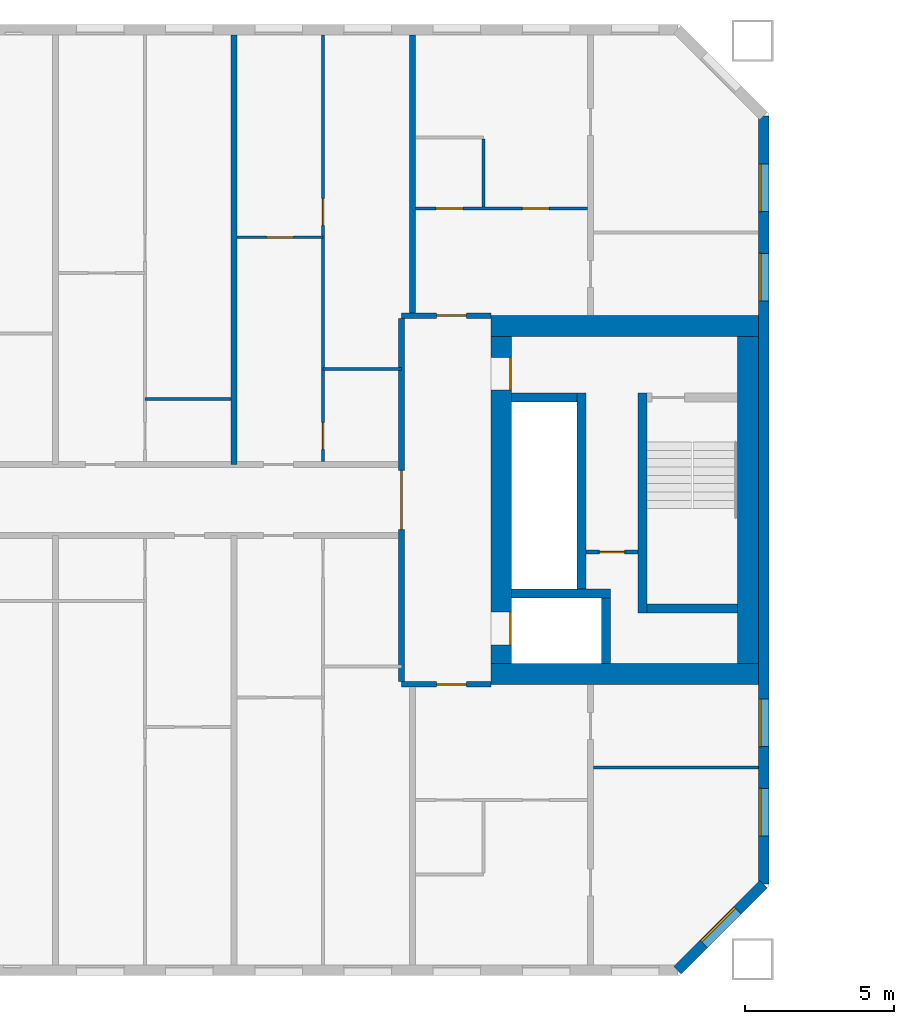
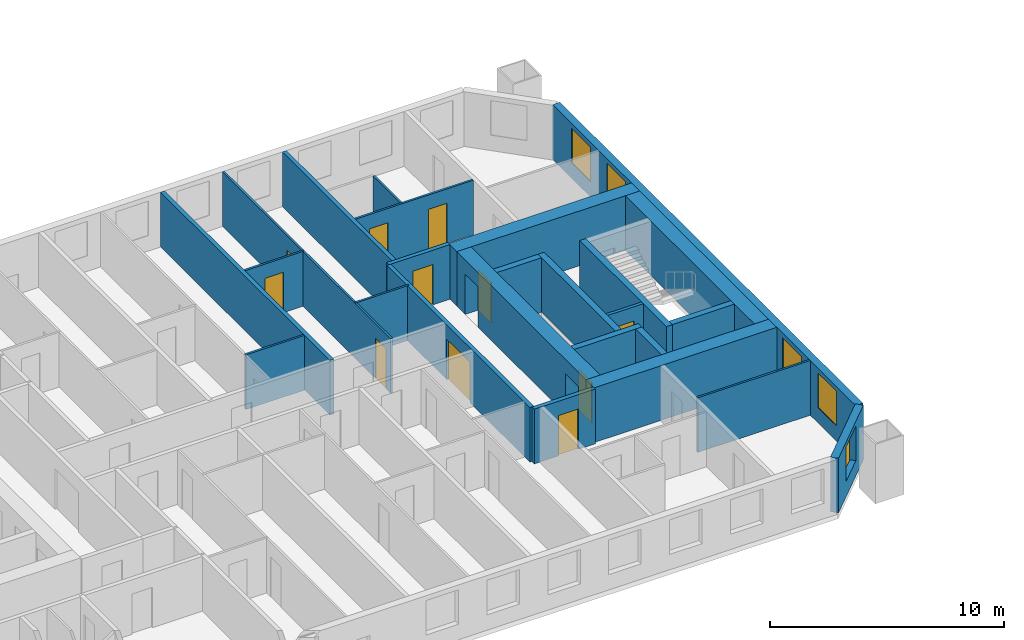
# One storey, part 7 of 16: 25 walls, 11 doors, 5 windows, 16 openings.
"""IFC4 building model written with IfcOpenShell, lengths in metres."""

from ifc_helpers import new_model, si_unit, direction, frame, frame_2d, origin, place, context, subcontext, project, spatial, rectangle, extrude, material, layer, layer_set, type_object, element, fill, save


model = new_model("IFC4")

# Units and contexts
model_context = context("Model", 3, precision=1e-05, world=origin(), true_north=direction((0.0, 1.0)))
body_context = subcontext(model_context, "Body", "Model", "MODEL_VIEW")
ifc_project = project(units=[si_unit("LENGTHUNIT", "METRE"), si_unit("AREAUNIT", "SQUARE_METRE"), si_unit("VOLUMEUNIT", "CUBIC_METRE"), si_unit("PLANEANGLEUNIT", "RADIAN"), si_unit("MASSUNIT", "GRAM", prefix="KILO")], contexts=[model_context])

# Site, building, storey
site_placement = place(None, origin())
site = spatial("IfcSite", under=ifc_project, at=site_placement, CompositionType="ELEMENT")
building_placement = place(site_placement, origin())
building = spatial("IfcBuilding", under=site, at=building_placement, Name="Tuart Gate Housing", CompositionType="ELEMENT")
storey_placement = place(building_placement, frame((0.0, 0.0, 87.10009765625)))
storey = spatial("IfcBuildingStorey", under=building, at=storey_placement, Name="L24", CompositionType="ELEMENT", Elevation=87.10009765625)

# Wall, opening, window
ifc_material_1 = material(Name="Brick", Category="masonry")
ifc_layer_1 = layer(ifc_material_1, 0.360107421875)
ifc_layer_set_1 = layer_set([ifc_layer_1], Name="Brick pier and spandrel wall 360")
wall_type_1 = type_object("IfcWallType", Name="Brick pier and spandrel wall 360", PredefinedType="STANDARD", material=ifc_layer_set_1)
wall_1_placement = place(storey_placement, frame((72.92529296875, 54.179931640625, 0.0), z_axis=(0.0, 0.0, 1.0), x_axis=(0.707106781187, 0.707106781187, 0.0)))
wall_1 = element("IfcWall", 1, at=wall_1_placement, inside=storey, type_object=wall_type_1, Name="External wall A-SE L24", PredefinedType="STANDARD", context=body_context, shape_type="SweptSolid", body=[
    extrude(rectangle(XDim=4.09375, YDim=0.360107421875, at=frame_2d((2.046875, 0.0))), origin(), (0.0, 0.0, 1.0), 2.849853515625),
])
opening_1_placement = place(wall_1_placement, frame((1.2470703125, 0.0, 0.800048828125)))
opening_1 = element("IfcOpeningElement", 2, at=opening_1_placement, cuts=wall_1, Name="Opening W1", PredefinedType="OPENING", context=body_context, shape_type="SweptSolid", body=[
    extrude(rectangle(XDim=1.60009765625, YDim=1.800048828125, at=frame_2d((0.800048828125, 0.89990234375))), frame((0.0, 0.18994140625, 0.0), z_axis=(0.0, -1.0, 0.0), x_axis=(1.0, 0.0, 0.0)), (0.0, 0.0, 1.0), 0.380126953125),
])
ifc_material_2 = material(Name="Aluminium frame with clear glass", Category="aluminium")
window_type = type_object("IfcWindowType", Name="Punched window 1600 x 1800", PartitioningType="SINGLE_PANEL", PredefinedType="WINDOW", material=ifc_material_2)
window_1_placement = place(opening_1_placement, origin())
window_1 = element("IfcWindow", 3, at=window_1_placement, inside=storey, type_object=window_type, Name="Window W1", OverallHeight=1.800048828125, OverallWidth=1.60009765625, PartitioningType="SINGLE_PANEL", PredefinedType="WINDOW", context=body_context, shape_type="SweptSolid", body=[
    extrude(rectangle(XDim=1.60009765625, YDim=1.800048828125, at=frame_2d((0.800048828125, 0.89990234375))), frame((0.0, 0.150146484375, 0.0), z_axis=(0.0, -1.0, 0.0), x_axis=(1.0, 0.0, 0.0)), (0.0, 0.0, 1.0), 0.06005859375),
])
fill(opening_1, window_1)

# Wall, openings, windows
wall_2_placement = place(storey_placement, frame((75.820068359375, 57.07470703125, 0.0), z_axis=(0.0, 0.0, 1.0), x_axis=(0.0, 1.0, 0.0)))
wall_2 = element("IfcWall", 4, at=wall_2_placement, inside=storey, type_object=wall_type_1, Name="External wall A-E L24", PredefinedType="STANDARD", context=body_context, shape_type="SweptSolid", body=[
    extrude(rectangle(XDim=25.850830078125, YDim=0.360107421875, at=frame_2d((12.92529296875, 0.0))), origin(), (0.0, 0.0, 1.0), 2.849853515625),
])
opening_2_placement = place(wall_2_placement, frame((1.62548828125, 0.0, 0.800048828125)))
opening_2 = element("IfcOpeningElement", 5, at=opening_2_placement, cuts=wall_2, Name="Opening W1", PredefinedType="OPENING", context=body_context, shape_type="SweptSolid", body=[
    extrude(rectangle(XDim=1.60009765625, YDim=1.800048828125, at=frame_2d((0.800048828125, 0.89990234375))), frame((0.0, 0.18994140625, 0.0), z_axis=(0.0, -1.0, 0.0), x_axis=(1.0, 0.0, 0.0)), (0.0, 0.0, 1.0), 0.380126953125),
])
opening_3_placement = place(wall_2_placement, frame((4.62548828125, 0.0, 0.800048828125)))
opening_3 = element("IfcOpeningElement", 6, at=opening_3_placement, cuts=wall_2, Name="Opening W1", PredefinedType="OPENING", context=body_context, shape_type="SweptSolid", body=[
    extrude(rectangle(XDim=1.60009765625, YDim=1.800048828125, at=frame_2d((0.800048828125, 0.89990234375))), frame((0.0, 0.18994140625, 0.0), z_axis=(0.0, -1.0, 0.0), x_axis=(1.0, 0.0, 0.0)), (0.0, 0.0, 1.0), 0.380126953125),
])
opening_4_placement = place(wall_2_placement, frame((19.62548828125, 0.0, 0.800048828125)))
opening_4 = element("IfcOpeningElement", 7, at=opening_4_placement, cuts=wall_2, Name="Opening W1", PredefinedType="OPENING", context=body_context, shape_type="SweptSolid", body=[
    extrude(rectangle(XDim=1.60009765625, YDim=1.800048828125, at=frame_2d((0.800048828125, 0.89990234375))), frame((0.0, 0.18994140625, 0.0), z_axis=(0.0, -1.0, 0.0), x_axis=(1.0, 0.0, 0.0)), (0.0, 0.0, 1.0), 0.380126953125),
])
opening_5_placement = place(wall_2_placement, frame((22.62548828125, 0.0, 0.800048828125)))
opening_5 = element("IfcOpeningElement", 8, at=opening_5_placement, cuts=wall_2, Name="Opening W1", PredefinedType="OPENING", context=body_context, shape_type="SweptSolid", body=[
    extrude(rectangle(XDim=1.60009765625, YDim=1.800048828125, at=frame_2d((0.800048828125, 0.89990234375))), frame((0.0, 0.18994140625, 0.0), z_axis=(0.0, -1.0, 0.0), x_axis=(1.0, 0.0, 0.0)), (0.0, 0.0, 1.0), 0.380126953125),
])
window_2_placement = place(opening_2_placement, origin())
window_2 = element("IfcWindow", 9, at=window_2_placement, inside=storey, type_object=window_type, Name="Window W1", OverallHeight=1.800048828125, OverallWidth=1.60009765625, PartitioningType="SINGLE_PANEL", PredefinedType="WINDOW", context=body_context, shape_type="SweptSolid", body=[
    extrude(rectangle(XDim=1.60009765625, YDim=1.800048828125, at=frame_2d((0.800048828125, 0.89990234375))), frame((0.0, 0.150146484375, 0.0), z_axis=(0.0, -1.0, 0.0), x_axis=(1.0, 0.0, 0.0)), (0.0, 0.0, 1.0), 0.06005859375),
])
fill(opening_2, window_2)
window_3_placement = place(opening_3_placement, origin())
window_3 = element("IfcWindow", 10, at=window_3_placement, inside=storey, type_object=window_type, Name="Window W1", OverallHeight=1.800048828125, OverallWidth=1.60009765625, PartitioningType="SINGLE_PANEL", PredefinedType="WINDOW", context=body_context, shape_type="SweptSolid", body=[
    extrude(rectangle(XDim=1.60009765625, YDim=1.800048828125, at=frame_2d((0.800048828125, 0.89990234375))), frame((0.0, 0.150146484375, 0.0), z_axis=(0.0, -1.0, 0.0), x_axis=(1.0, 0.0, 0.0)), (0.0, 0.0, 1.0), 0.06005859375),
])
fill(opening_3, window_3)
window_4_placement = place(opening_4_placement, origin())
window_4 = element("IfcWindow", 11, at=window_4_placement, inside=storey, type_object=window_type, Name="Window W1", OverallHeight=1.800048828125, OverallWidth=1.60009765625, PartitioningType="SINGLE_PANEL", PredefinedType="WINDOW", context=body_context, shape_type="SweptSolid", body=[
    extrude(rectangle(XDim=1.60009765625, YDim=1.800048828125, at=frame_2d((0.800048828125, 0.89990234375))), frame((0.0, 0.150146484375, 0.0), z_axis=(0.0, -1.0, 0.0), x_axis=(1.0, 0.0, 0.0)), (0.0, 0.0, 1.0), 0.06005859375),
])
fill(opening_4, window_4)
window_5_placement = place(opening_5_placement, origin())
window_5 = element("IfcWindow", 12, at=window_5_placement, inside=storey, type_object=window_type, Name="Window W1", OverallHeight=1.800048828125, OverallWidth=1.60009765625, PartitioningType="SINGLE_PANEL", PredefinedType="WINDOW", context=body_context, shape_type="SweptSolid", body=[
    extrude(rectangle(XDim=1.60009765625, YDim=1.800048828125, at=frame_2d((0.800048828125, 0.89990234375))), frame((0.0, 0.150146484375, 0.0), z_axis=(0.0, -1.0, 0.0), x_axis=(1.0, 0.0, 0.0)), (0.0, 0.0, 1.0), 0.06005859375),
])
fill(opening_5, window_5)

# Wall, opening, door
ifc_material_3 = material(Name="Plasterboard partition")
ifc_layer_2 = layer(ifc_material_3, 0.14990234375)
ifc_layer_set_2 = layer_set([ifc_layer_2], Name="Core partition 150")
wall_type_2 = type_object("IfcWallType", Name="Core partition 150", PredefinedType="PARTITIONING", material=ifc_layer_set_2)
wall_3_placement = place(storey_placement, frame((69.840087890625, 68.25, 0.0), z_axis=(0.0, 0.0, 1.0), x_axis=(1.0, 0.0, 0.0)))
wall_3 = element("IfcWall", 13, at=wall_3_placement, inside=storey, type_object=wall_type_2, Name="Core partition AG.3", PredefinedType="PARTITIONING", context=body_context, shape_type="SweptSolid", body=[
    extrude(rectangle(XDim=1.75, YDim=0.14990234375, at=frame_2d((0.875, 0.0))), origin(), (0.0, 0.0, 1.0), 2.849853515625),
])
opening_6_placement = place(wall_3_placement, frame((0.449951171875, 0.0, 0.0)))
opening_6 = element("IfcOpeningElement", 14, at=opening_6_placement, cuts=wall_3, Name="Opening D988", PredefinedType="OPENING", context=body_context, shape_type="SweptSolid", body=[
    extrude(rectangle(XDim=0.85009765625, YDim=2.10009765625, at=frame_2d((0.425048828125, 1.050048828125))), frame((0.0, 0.0849609375, 0.0), z_axis=(0.0, -1.0, 0.0), x_axis=(1.0, 0.0, 0.0)), (0.0, 0.0, 1.0), 0.169921875),
])
ifc_material_4 = material(Name="Steel fire door", Category="steel")
door_type_1 = type_object("IfcDoorType", Name="Riser door 850 x 2100 RH", OperationType="SINGLE_SWING_RIGHT", PredefinedType="DOOR", material=ifc_material_4)
door_1_placement = place(opening_6_placement, frame((0.85009765625, 0.0, 0.0), z_axis=(0.0, 0.0, 1.0), x_axis=(-1.0, 0.0, 0.0)))
door_1 = element("IfcDoor", 15, at=door_1_placement, inside=storey, type_object=door_type_1, Name="Service room door AG.E1", OperationType="SINGLE_SWING_RIGHT", OverallHeight=2.10009765625, OverallWidth=0.85009765625, PredefinedType="DOOR", context=body_context, shape_type="SweptSolid", body=[
    extrude(rectangle(XDim=0.85009765625, YDim=2.10009765625, at=frame_2d((0.425048828125, 1.050048828125))), frame((0.0, 0.025146484375, 0.0), z_axis=(0.0, -1.0, 0.0), x_axis=(1.0, 0.0, 0.0)), (0.0, 0.0, 1.0), 0.050048828125),
])
fill(opening_6, door_1)

# Walls
ifc_material_5 = material(Name="Concrete C50", Category="concrete")
ifc_layer_3 = layer(ifc_material_5, 0.300048828125)
ifc_layer_set_3 = layer_set([ifc_layer_3], Name="Core wall 300 C50")
wall_type_3 = type_object("IfcWallType", Name="Core wall 300 C50", PredefinedType="SHEAR", material=ifc_layer_set_3)
wall_4_placement = place(storey_placement, frame((71.889892578125, 66.35009765625, 0.0), z_axis=(0.0, 0.0, 1.0), x_axis=(1.0, 0.0, 0.0)))
element("IfcWall", 16, at=wall_4_placement, inside=storey, type_object=wall_type_3, Name="Core wall AG.1", PredefinedType="SHEAR", context=body_context, shape_type="SweptSolid", body=[
    extrude(rectangle(XDim=3.050048828125, YDim=0.300048828125, at=frame_2d((1.52490234375, 0.0))), origin(), (0.0, 0.0, 1.0), 2.849853515625),
])
wall_5_placement = place(storey_placement, frame((67.340087890625, 66.85009765625, 0.0), z_axis=(0.0, 0.0, 1.0), x_axis=(1.0, 0.0, 0.0)))
element("IfcWall", 17, at=wall_5_placement, inside=storey, type_object=wall_type_3, Name="Core wall AG.2", PredefinedType="SHEAR", context=body_context, shape_type="SweptSolid", body=[
    extrude(rectangle(XDim=3.31982421875, YDim=0.300048828125, at=frame_2d((1.659912109375, 0.0))), origin(), (0.0, 0.0, 1.0), 2.849853515625),
])
wall_6_placement = place(storey_placement, frame((67.340087890625, 73.449951171875, 0.0), z_axis=(0.0, 0.0, 1.0), x_axis=(1.0, 0.0, 0.0)))
element("IfcWall", 18, at=wall_6_placement, inside=storey, type_object=wall_type_3, Name="Core wall AG.4", PredefinedType="SHEAR", context=body_context, shape_type="SweptSolid", body=[
    extrude(rectangle(XDim=2.199951171875, YDim=0.300048828125, at=frame_2d((1.10009765625, 0.0))), origin(), (0.0, 0.0, 1.0), 2.849853515625),
])
wall_7_placement = place(storey_placement, frame((69.68994140625, 67.0, 0.0), z_axis=(0.0, 0.0, 1.0), x_axis=(0.0, 1.0, 0.0)))
element("IfcWall", 19, at=wall_7_placement, inside=storey, type_object=wall_type_3, Name="Core wall AG.6", PredefinedType="SHEAR", context=body_context, shape_type="SweptSolid", body=[
    extrude(rectangle(XDim=6.60009765625, YDim=0.300048828125, at=frame_2d((3.300048828125, 0.0))), origin(), (0.0, 0.0, 1.0), 2.849853515625),
])
wall_8_placement = place(storey_placement, frame((70.510009765625, 64.5, 0.0), z_axis=(0.0, 0.0, 1.0), x_axis=(0.0, 1.0, 0.0)))
element("IfcWall", 20, at=wall_8_placement, inside=storey, type_object=wall_type_3, Name="Core wall AG.7", PredefinedType="SHEAR", context=body_context, shape_type="SweptSolid", body=[
    extrude(rectangle(XDim=2.199951171875, YDim=0.300048828125, at=frame_2d((1.10009765625, 0.0))), origin(), (0.0, 0.0, 1.0), 2.849853515625),
])
wall_9_placement = place(storey_placement, frame((71.739990234375, 66.199951171875, 0.0), z_axis=(0.0, 0.0, 1.0), x_axis=(0.0, 1.0, 0.0)))
element("IfcWall", 21, at=wall_9_placement, inside=storey, type_object=wall_type_3, Name="Core wall AG.8", PredefinedType="SHEAR", context=body_context, shape_type="SweptSolid", body=[
    extrude(rectangle(XDim=7.400146484375, YDim=0.300048828125, at=frame_2d((3.7001953125, 0.0))), origin(), (0.0, 0.0, 1.0), 2.849853515625),
])

# Wall, openings, doors
ifc_material_6 = material(Name="Concrete C50", Category="concrete")
ifc_layer_4 = layer(ifc_material_6, 0.699951171875)
ifc_layer_set_4 = layer_set([ifc_layer_4], Name="Core wall 700 C50")
wall_type_4 = type_object("IfcWallType", Name="Core wall 700 C50", PredefinedType="SHEAR", material=ifc_layer_set_4)
wall_10_placement = place(storey_placement, frame((66.989990234375, 64.5, 0.0), z_axis=(0.0, 0.0, 1.0), x_axis=(0.0, 1.0, 0.0)))
wall_10 = element("IfcWall", 22, at=wall_10_placement, inside=storey, type_object=wall_type_4, Name="Core wall AG front", PredefinedType="SHEAR", context=body_context, shape_type="SweptSolid", body=[
    extrude(rectangle(XDim=11.0, YDim=0.699951171875, at=frame_2d((5.5, 0.0))), origin(), (0.0, 0.0, 1.0), 2.849853515625),
])
opening_7_placement = place(wall_10_placement, frame((0.625, 0.0, 0.0)))
opening_7 = element("IfcOpeningElement", 23, at=opening_7_placement, cuts=wall_10, Name="Opening LD-FA1", PredefinedType="OPENING", context=body_context, shape_type="SweptSolid", body=[
    extrude(rectangle(XDim=1.10009765625, YDim=2.10009765625, at=frame_2d((0.550048828125, 1.050048828125))), frame((0.0, 0.35986328125, 0.0), z_axis=(0.0, -1.0, 0.0), x_axis=(1.0, 0.0, 0.0)), (0.0, 0.0, 1.0), 0.719970703125),
])
opening_8_placement = place(wall_10_placement, frame((9.199951171875, 0.0, 0.0)))
opening_8 = element("IfcOpeningElement", 24, at=opening_8_placement, cuts=wall_10, Name="Opening D984", PredefinedType="OPENING", context=body_context, shape_type="SweptSolid", body=[
    extrude(rectangle(XDim=1.10009765625, YDim=2.10009765625, at=frame_2d((0.550048828125, 1.050048828125))), frame((0.0, 0.35986328125, 0.0), z_axis=(0.0, -1.0, 0.0), x_axis=(1.0, 0.0, 0.0)), (0.0, 0.0, 1.0), 0.719970703125),
])
ifc_material_7 = material(Name="Stainless steel", Category="steel")
door_type_2 = type_object("IfcDoorType", Name="Landing door 1100 x 2100", OperationType="DOUBLE_DOOR_SLIDING", PredefinedType="DOOR", material=ifc_material_7)
door_2_placement = place(opening_7_placement, origin())
door_2 = element("IfcDoor", 25, at=door_2_placement, inside=storey, type_object=door_type_2, Name="Lift landing door FA1", OperationType="DOUBLE_DOOR_SLIDING", OverallHeight=2.10009765625, OverallWidth=1.10009765625, PredefinedType="DOOR", context=body_context, shape_type="SweptSolid", body=[
    extrude(rectangle(XDim=1.10009765625, YDim=2.10009765625, at=frame_2d((0.550048828125, 1.050048828125))), frame((0.0, -0.28515625, 0.0), z_axis=(0.0, -1.0, 0.0), x_axis=(1.0, 0.0, 0.0)), (0.0, 0.0, 1.0), 0.050048828125),
])
fill(opening_7, door_2)
ifc_material_8 = material(Name="Steel fire door", Category="steel")
door_type_3 = type_object("IfcDoorType", Name="Lobby door 1100 x 2100 RH", OperationType="SINGLE_SWING_RIGHT", PredefinedType="DOOR", material=ifc_material_8)
door_3_placement = place(opening_8_placement, frame((1.10009765625, 0.0, 0.0), z_axis=(0.0, 0.0, 1.0), x_axis=(-1.0, 0.0, 0.0)))
door_3 = element("IfcDoor", 26, at=door_3_placement, inside=storey, type_object=door_type_3, Name="Lobby entry door AG.EN", OperationType="SINGLE_SWING_RIGHT", OverallHeight=2.10009765625, OverallWidth=1.10009765625, PredefinedType="DOOR", context=body_context, shape_type="SweptSolid", body=[
    extrude(rectangle(XDim=1.10009765625, YDim=2.10009765625, at=frame_2d((0.550048828125, 1.050048828125))), frame((0.0, 0.335205078125, 0.0), z_axis=(0.0, -1.0, 0.0), x_axis=(1.0, 0.0, 0.0)), (0.0, 0.0, 1.0), 0.050048828125),
])
fill(opening_8, door_3)

# Walls
wall_11_placement = place(storey_placement, frame((75.2900390625, 64.5, 0.0), z_axis=(0.0, 0.0, 1.0), x_axis=(0.0, 1.0, 0.0)))
element("IfcWall", 27, at=wall_11_placement, inside=storey, type_object=wall_type_4, Name="Core wall AG back", PredefinedType="SHEAR", context=body_context, shape_type="SweptSolid", body=[
    extrude(rectangle(XDim=11.0, YDim=0.699951171875, at=frame_2d((5.5, 0.0))), origin(), (0.0, 0.0, 1.0), 2.849853515625),
])
for number, where, z_axis, x_axis, name in (
    (28, (66.639892578125, 64.14990234375, 0.0), (0.0, 0.0, 1.0), (1.0, 0.0, 0.0), "Core wall AG south"),
    (29, (66.639892578125, 75.85009765625, 0.0), (0.0, 0.0, 1.0), (1.0, 0.0, 0.0), "Core wall AG north"),
):
    element("IfcWall", number, at=place(storey_placement, frame(where, z_axis=z_axis, x_axis=x_axis)), inside=storey, type_object=wall_type_4, Name=name, PredefinedType="SHEAR", context=body_context, shape_type="SweptSolid", body=[
        extrude(rectangle(XDim=9.0, YDim=0.699951171875, at=frame_2d((4.5, 0.0))), origin(), (0.0, 0.0, 1.0), 2.849853515625),
    ])

# Wall, opening, door
ifc_material_9 = material(Name="Concrete masonry 15 MPa", Category="masonry")
ifc_layer_5 = layer(ifc_material_9, 0.199951171875)
ifc_layer_set_5 = layer_set([ifc_layer_5], Name="Enclosure wall masonry 200")
wall_type_5 = type_object("IfcWallType", Name="Enclosure wall masonry 200", PredefinedType="PARTITIONING", material=ifc_layer_set_5)
wall_12_placement = place(storey_placement, frame((63.639892578125, 63.800048828125, 0.0), z_axis=(0.0, 0.0, 1.0), x_axis=(1.0, 0.0, 0.0)))
wall_12 = element("IfcWall", 30, at=wall_12_placement, inside=storey, type_object=wall_type_5, Name="Enclosure wall masonry 200", PredefinedType="PARTITIONING", context=body_context, shape_type="SweptSolid", body=[
    extrude(rectangle(XDim=3.0, YDim=0.199951171875, at=frame_2d((1.5, 0.0))), origin(), (0.0, 0.0, 1.0), 2.849853515625),
])
opening_9_placement = place(wall_12_placement, frame((1.179931640625, 0.0, 0.0)))
opening_9 = element("IfcOpeningElement", 31, at=opening_9_placement, cuts=wall_12, Name="Opening D992", PredefinedType="OPENING", context=body_context, shape_type="SweptSolid", body=[
    extrude(rectangle(XDim=1.0, YDim=2.10009765625, at=frame_2d((0.5, 1.050048828125))), frame((0.0, 0.10986328125, 0.0), z_axis=(0.0, -1.0, 0.0), x_axis=(1.0, 0.0, 0.0)), (0.0, 0.0, 1.0), 0.219970703125),
])
ifc_material_10 = material(Name="Timber door leaf in steel frame", Category="steel")
door_type_4 = type_object("IfcDoorType", Name="Flat entrance door 1000 RH", OperationType="SINGLE_SWING_RIGHT", PredefinedType="DOOR", material=ifc_material_10)
door_4_placement = place(opening_9_placement, frame((1.0, 0.0, 0.0), z_axis=(0.0, 0.0, 1.0), x_axis=(-1.0, 0.0, 0.0)))
door_4 = element("IfcDoor", 32, at=door_4_placement, inside=storey, type_object=door_type_4, Name="Flat entrance door", OperationType="SINGLE_SWING_RIGHT", OverallHeight=2.10009765625, OverallWidth=1.0, PredefinedType="DOOR", context=body_context, shape_type="SweptSolid", body=[
    extrude(rectangle(XDim=1.0, YDim=2.10009765625, at=frame_2d((0.5, 1.050048828125))), frame((0.0, 0.025146484375, 0.0), z_axis=(0.0, -1.0, 0.0), x_axis=(1.0, 0.0, 0.0)), (0.0, 0.0, 1.0), 0.050048828125),
])
fill(opening_9, door_4)

wall_13_placement = place(storey_placement, frame((63.639892578125, 76.199951171875, 0.0), z_axis=(0.0, 0.0, 1.0), x_axis=(1.0, 0.0, 0.0)))
wall_13 = element("IfcWall", 33, at=wall_13_placement, inside=storey, type_object=wall_type_5, Name="Enclosure wall masonry 200", PredefinedType="PARTITIONING", context=body_context, shape_type="SweptSolid", body=[
    extrude(rectangle(XDim=3.0, YDim=0.199951171875, at=frame_2d((1.5, 0.0))), origin(), (0.0, 0.0, 1.0), 2.849853515625),
])
opening_10_placement = place(wall_13_placement, frame((1.179931640625, 0.0, 0.0)))
opening_10 = element("IfcOpeningElement", 34, at=opening_10_placement, cuts=wall_13, Name="Opening D972", PredefinedType="OPENING", context=body_context, shape_type="SweptSolid", body=[
    extrude(rectangle(XDim=1.0, YDim=2.10009765625, at=frame_2d((0.5, 1.050048828125))), frame((0.0, 0.10986328125, 0.0), z_axis=(0.0, -1.0, 0.0), x_axis=(1.0, 0.0, 0.0)), (0.0, 0.0, 1.0), 0.219970703125),
])
ifc_material_11 = material(Name="Timber door leaf in steel frame", Category="steel")
door_type_5 = type_object("IfcDoorType", Name="Flat entrance door 1000", OperationType="SINGLE_SWING_LEFT", PredefinedType="DOOR", material=ifc_material_11)
door_5_placement = place(opening_10_placement, origin())
door_5 = element("IfcDoor", 35, at=door_5_placement, inside=storey, type_object=door_type_5, Name="Flat entrance door", OperationType="SINGLE_SWING_LEFT", OverallHeight=2.10009765625, OverallWidth=1.0, PredefinedType="DOOR", context=body_context, shape_type="SweptSolid", body=[
    extrude(rectangle(XDim=1.0, YDim=2.10009765625, at=frame_2d((0.5, 1.050048828125))), frame((0.0, 0.02490234375, 0.0), z_axis=(0.0, -1.0, 0.0), x_axis=(1.0, 0.0, 0.0)), (0.0, 0.0, 1.0), 0.050048828125),
])
fill(opening_10, door_5)

ifc_material_12 = material(Name="Plasterboard partition")
ifc_layer_6 = layer(ifc_material_12, 0.199951171875)
ifc_layer_set_6 = layer_set([ifc_layer_6], Name="Lobby wall 200")
wall_type_6 = type_object("IfcWallType", Name="Lobby wall 200", PredefinedType="PARTITIONING", material=ifc_layer_set_6)
wall_14_placement = place(storey_placement, frame((63.639892578125, 63.89990234375, 0.0), z_axis=(0.0, 0.0, 1.0), x_axis=(0.0, 1.0, 0.0)))
wall_14 = element("IfcWall", 36, at=wall_14_placement, inside=storey, type_object=wall_type_6, Name="Lift lobby wall AG", PredefinedType="PARTITIONING", context=body_context, shape_type="SweptSolid", body=[
    extrude(rectangle(XDim=12.2001953125, YDim=0.199951171875, at=frame_2d((6.10009765625, 0.0))), origin(), (0.0, 0.0, 1.0), 2.849853515625),
])
opening_11_placement = place(wall_14_placement, frame((5.10009765625, 0.0, 0.0)))
opening_11 = element("IfcOpeningElement", 37, at=opening_11_placement, cuts=wall_14, Name="Opening D983", PredefinedType="OPENING", context=body_context, shape_type="SweptSolid", body=[
    extrude(rectangle(XDim=2.0, YDim=2.10009765625, at=frame_2d((1.0, 1.050048828125))), frame((0.0, 0.10986328125, 0.0), z_axis=(0.0, -1.0, 0.0), x_axis=(1.0, 0.0, 0.0)), (0.0, 0.0, 1.0), 0.219970703125),
])
ifc_material_13 = material(Name="Steel fire door", Category="steel")
door_type_6 = type_object("IfcDoorType", Name="Smoke door 2000 x 2100", OperationType="DOUBLE_DOOR_SINGLE_SWING", PredefinedType="DOOR", material=ifc_material_13)
door_6_placement = place(opening_11_placement, frame((2.0, 0.0, 0.0), z_axis=(0.0, 0.0, 1.0), x_axis=(-1.0, 0.0, 0.0)))
door_6 = element("IfcDoor", 38, at=door_6_placement, inside=storey, type_object=door_type_6, Name="Lift lobby smoke door AG", OperationType="DOUBLE_DOOR_SINGLE_SWING", OverallHeight=2.10009765625, OverallWidth=2.0, PredefinedType="DOOR", context=body_context, shape_type="SweptSolid", body=[
    extrude(rectangle(XDim=2.0, YDim=2.10009765625, at=frame_2d((1.0, 1.050048828125))), frame((0.0, 0.025146484375, 0.0), z_axis=(0.0, -1.0, 0.0), x_axis=(1.0, 0.0, 0.0)), (0.0, 0.0, 1.0), 0.050048828125),
])
fill(opening_11, door_6)

# Walls
ifc_material_14 = material(Name="Gypsum board on steel studs", Category="steel")
ifc_layer_7 = layer(ifc_material_14, 0.10009765625)
ifc_layer_set_7 = layer_set([ifc_layer_7], Name="Partition 100")
wall_type_7 = type_object("IfcWallType", Name="Partition 100", PredefinedType="PARTITIONING", material=ifc_layer_set_7)
wall_15_placement = place(storey_placement, frame((70.10009765625, 61.0, 0.0), z_axis=(0.0, 0.0, 1.0), x_axis=(1.0, 0.0, 0.0)))
element("IfcWall", 39, at=wall_15_placement, inside=storey, type_object=wall_type_7, Name="Partition 100", PredefinedType="PARTITIONING", context=body_context, shape_type="SweptSolid", body=[
    extrude(rectangle(XDim=5.539794921875, YDim=0.10009765625, at=frame_2d((2.77001953125, 0.0))), origin(), (0.0, 0.0, 1.0), 2.849853515625),
])
wall_16_placement = place(storey_placement, frame((55.0, 73.39990234375, 0.0), z_axis=(0.0, 0.0, 1.0), x_axis=(1.0, 0.0, 0.0)))
element("IfcWall", 40, at=wall_16_placement, inside=storey, type_object=wall_type_7, Name="Partition 100", PredefinedType="PARTITIONING", context=body_context, shape_type="SweptSolid", body=[
    extrude(rectangle(XDim=2.89990234375, YDim=0.10009765625, at=frame_2d((1.449951171875, 0.0))), origin(), (0.0, 0.0, 1.0), 2.849853515625),
])
wall_17_placement = place(storey_placement, frame((61.0, 74.39990234375, 0.0), z_axis=(0.0, 0.0, 1.0), x_axis=(1.0, 0.0, 0.0)))
element("IfcWall", 41, at=wall_17_placement, inside=storey, type_object=wall_type_7, Name="Partition 100", PredefinedType="PARTITIONING", context=body_context, shape_type="SweptSolid", body=[
    extrude(rectangle(XDim=2.639892578125, YDim=0.10009765625, at=frame_2d((1.31982421875, 0.0))), origin(), (0.0, 0.0, 1.0), 2.849853515625),
])

# Wall, opening, door
wall_18_placement = place(storey_placement, frame((58.10009765625, 78.840087890625, 0.0), z_axis=(0.0, 0.0, 1.0), x_axis=(1.0, 0.0, 0.0)))
wall_18 = element("IfcWall", 42, at=wall_18_placement, inside=storey, type_object=wall_type_7, Name="Partition 100", PredefinedType="PARTITIONING", context=body_context, shape_type="SweptSolid", body=[
    extrude(rectangle(XDim=2.89990234375, YDim=0.10009765625, at=frame_2d((1.449951171875, 0.0))), origin(), (0.0, 0.0, 1.0), 2.849853515625),
])
opening_12_placement = place(wall_18_placement, frame((1.0, 0.0, 0.0)))
opening_12 = element("IfcOpeningElement", 43, at=opening_12_placement, cuts=wall_18, Name="Opening D960", PredefinedType="OPENING", context=body_context, shape_type="SweptSolid", body=[
    extrude(rectangle(XDim=0.89990234375, YDim=2.10009765625, at=frame_2d((0.449951171875, 1.050048828125))), frame((0.0, 0.06005859375, 0.0), z_axis=(0.0, -1.0, 0.0), x_axis=(1.0, 0.0, 0.0)), (0.0, 0.0, 1.0), 0.1201171875),
])
ifc_material_15 = material(Name="Timber door leaf in steel frame", Category="steel")
door_type_7 = type_object("IfcDoorType", Name="Internal door 900", OperationType="SINGLE_SWING_LEFT", PredefinedType="DOOR", material=ifc_material_15)
door_7_placement = place(opening_12_placement, frame((0.89990234375, 0.0, 0.0), z_axis=(0.0, 0.0, 1.0), x_axis=(-1.0, 0.0, 0.0)))
door_7 = element("IfcDoor", 44, at=door_7_placement, inside=storey, type_object=door_type_7, Name="Internal door", OperationType="SINGLE_SWING_LEFT", OverallHeight=2.10009765625, OverallWidth=0.89990234375, PredefinedType="DOOR", context=body_context, shape_type="SweptSolid", body=[
    extrude(rectangle(XDim=0.89990234375, YDim=2.10009765625, at=frame_2d((0.449951171875, 1.050048828125))), frame((0.0, 0.025146484375, 0.0), z_axis=(0.0, -1.0, 0.0), x_axis=(1.0, 0.0, 0.0)), (0.0, 0.0, 1.0), 0.050048828125),
])
fill(opening_12, door_7)

# Wall, openings, doors
wall_19_placement = place(storey_placement, frame((64.10009765625, 79.800048828125, 0.0), z_axis=(0.0, 0.0, 1.0), x_axis=(1.0, 0.0, 0.0)))
wall_19 = element("IfcWall", 45, at=wall_19_placement, inside=storey, type_object=wall_type_7, Name="Partition 100", PredefinedType="PARTITIONING", context=body_context, shape_type="SweptSolid", body=[
    extrude(rectangle(XDim=5.7998046875, YDim=0.10009765625, at=frame_2d((2.89990234375, 0.0))), origin(), (0.0, 0.0, 1.0), 2.849853515625),
])
opening_13_placement = place(wall_19_placement, frame((3.60009765625, 0.0, 0.0)))
opening_13 = element("IfcOpeningElement", 46, at=opening_13_placement, cuts=wall_19, Name="Opening D958", PredefinedType="OPENING", context=body_context, shape_type="SweptSolid", body=[
    extrude(rectangle(XDim=0.89990234375, YDim=2.10009765625, at=frame_2d((0.449951171875, 1.050048828125))), frame((0.0, 0.06005859375, 0.0), z_axis=(0.0, -1.0, 0.0), x_axis=(1.0, 0.0, 0.0)), (0.0, 0.0, 1.0), 0.1201171875),
])
opening_14_placement = place(wall_19_placement, frame((0.699951171875, 0.0, 0.0)))
opening_14 = element("IfcOpeningElement", 47, at=opening_14_placement, cuts=wall_19, Name="Opening D957", PredefinedType="OPENING", context=body_context, shape_type="SweptSolid", body=[
    extrude(rectangle(XDim=0.89990234375, YDim=2.10009765625, at=frame_2d((0.449951171875, 1.050048828125))), frame((0.0, 0.06005859375, 0.0), z_axis=(0.0, -1.0, 0.0), x_axis=(1.0, 0.0, 0.0)), (0.0, 0.0, 1.0), 0.1201171875),
])
ifc_material_16 = material(Name="Timber door leaf in steel frame", Category="steel")
door_type_8 = type_object("IfcDoorType", Name="Bathroom door 900 RH", OperationType="SINGLE_SWING_RIGHT", PredefinedType="DOOR", material=ifc_material_16)
door_8_placement = place(opening_14_placement, origin())
door_8 = element("IfcDoor", 48, at=door_8_placement, inside=storey, type_object=door_type_8, Name="Bathroom door", OperationType="SINGLE_SWING_RIGHT", OverallHeight=2.10009765625, OverallWidth=0.89990234375, PredefinedType="DOOR", context=body_context, shape_type="SweptSolid", body=[
    extrude(rectangle(XDim=0.89990234375, YDim=2.10009765625, at=frame_2d((0.449951171875, 1.050048828125))), frame((0.0, 0.02490234375, 0.0), z_axis=(0.0, -1.0, 0.0), x_axis=(1.0, 0.0, 0.0)), (0.0, 0.0, 1.0), 0.050048828125),
])
fill(opening_14, door_8)
door_9_placement = place(opening_13_placement, frame((0.89990234375, 0.0, 0.0), z_axis=(0.0, 0.0, 1.0), x_axis=(-1.0, 0.0, 0.0)))
door_9 = element("IfcDoor", 49, at=door_9_placement, inside=storey, type_object=door_type_7, Name="Internal door", OperationType="SINGLE_SWING_LEFT", OverallHeight=2.10009765625, OverallWidth=0.89990234375, PredefinedType="DOOR", context=body_context, shape_type="SweptSolid", body=[
    extrude(rectangle(XDim=0.89990234375, YDim=2.10009765625, at=frame_2d((0.449951171875, 1.050048828125))), frame((0.0, 0.025146484375, 0.0), z_axis=(0.0, -1.0, 0.0), x_axis=(1.0, 0.0, 0.0)), (0.0, 0.0, 1.0), 0.050048828125),
])
fill(opening_13, door_9)

wall_20_placement = place(storey_placement, frame((61.0, 71.300048828125, 0.0), z_axis=(0.0, 0.0, 1.0), x_axis=(0.0, 1.0, 0.0)))
wall_20 = element("IfcWall", 50, at=wall_20_placement, inside=storey, type_object=wall_type_7, Name="Partition 100", PredefinedType="PARTITIONING", context=body_context, shape_type="SweptSolid", body=[
    extrude(rectangle(XDim=14.33984375, YDim=0.10009765625, at=frame_2d((7.169921875, 0.0))), origin(), (0.0, 0.0, 1.0), 2.849853515625),
])
opening_15_placement = place(wall_20_placement, frame((7.93994140625, 0.0, 0.0)))
opening_15 = element("IfcOpeningElement", 51, at=opening_15_placement, cuts=wall_20, Name="Opening D968", PredefinedType="OPENING", context=body_context, shape_type="SweptSolid", body=[
    extrude(rectangle(XDim=0.89990234375, YDim=2.10009765625, at=frame_2d((0.449951171875, 1.050048828125))), frame((0.0, 0.06005859375, 0.0), z_axis=(0.0, -1.0, 0.0), x_axis=(1.0, 0.0, 0.0)), (0.0, 0.0, 1.0), 0.1201171875),
])
opening_16_placement = place(wall_20_placement, frame((0.39990234375, 0.0, 0.0)))
opening_16 = element("IfcOpeningElement", 52, at=opening_16_placement, cuts=wall_20, Name="Opening D967", PredefinedType="OPENING", context=body_context, shape_type="SweptSolid", body=[
    extrude(rectangle(XDim=0.89990234375, YDim=2.10009765625, at=frame_2d((0.449951171875, 1.050048828125))), frame((0.0, 0.06005859375, 0.0), z_axis=(0.0, -1.0, 0.0), x_axis=(1.0, 0.0, 0.0)), (0.0, 0.0, 1.0), 0.1201171875),
])
door_10_placement = place(opening_16_placement, frame((0.89990234375, 0.0, 0.0), z_axis=(0.0, 0.0, 1.0), x_axis=(-1.0, 0.0, 0.0)))
door_10 = element("IfcDoor", 53, at=door_10_placement, inside=storey, type_object=door_type_8, Name="Bathroom door", OperationType="SINGLE_SWING_RIGHT", OverallHeight=2.10009765625, OverallWidth=0.89990234375, PredefinedType="DOOR", context=body_context, shape_type="SweptSolid", body=[
    extrude(rectangle(XDim=0.89990234375, YDim=2.10009765625, at=frame_2d((0.449951171875, 1.050048828125))), frame((0.0, 0.025146484375, 0.0), z_axis=(0.0, -1.0, 0.0), x_axis=(1.0, 0.0, 0.0)), (0.0, 0.0, 1.0), 0.050048828125),
])
fill(opening_16, door_10)
ifc_material_17 = material(Name="Timber door leaf in steel frame", Category="steel")
door_type_9 = type_object("IfcDoorType", Name="Internal door 900 RH", OperationType="SINGLE_SWING_RIGHT", PredefinedType="DOOR", material=ifc_material_17)
door_11_placement = place(opening_15_placement, frame((0.89990234375, 0.0, 0.0), z_axis=(0.0, 0.0, 1.0), x_axis=(-1.0, 0.0, 0.0)))
door_11 = element("IfcDoor", 54, at=door_11_placement, inside=storey, type_object=door_type_9, Name="Internal door", OperationType="SINGLE_SWING_RIGHT", OverallHeight=2.10009765625, OverallWidth=0.89990234375, PredefinedType="DOOR", context=body_context, shape_type="SweptSolid", body=[
    extrude(rectangle(XDim=0.89990234375, YDim=2.10009765625, at=frame_2d((0.449951171875, 1.050048828125))), frame((0.0, 0.025146484375, 0.0), z_axis=(0.0, -1.0, 0.0), x_axis=(1.0, 0.0, 0.0)), (0.0, 0.0, 1.0), 0.050048828125),
])
fill(opening_15, door_11)

# Walls
wall_21_placement = place(storey_placement, frame((66.39990234375, 79.85009765625, 0.0), z_axis=(0.0, 0.0, 1.0), x_axis=(0.0, 1.0, 0.0)))
element("IfcWall", 55, at=wall_21_placement, inside=storey, type_object=wall_type_7, Name="Partition 100", PredefinedType="PARTITIONING", context=body_context, shape_type="SweptSolid", body=[
    extrude(rectangle(XDim=2.2998046875, YDim=0.10009765625, at=frame_2d((1.14990234375, 0.0))), origin(), (0.0, 0.0, 1.0), 2.849853515625),
])
ifc_material_18 = material(Name="Concrete C40", Category="concrete")
ifc_layer_8 = layer(ifc_material_18, 0.199951171875)
ifc_layer_set_8 = layer_set([ifc_layer_8], Name="Party wall concrete C40 200")
wall_type_8 = type_object("IfcWallType", Name="Party wall concrete C40 200", PredefinedType="SOLIDWALL", material=ifc_layer_set_8)
wall_22_placement = place(storey_placement, frame((58.0, 71.199951171875, 0.0), z_axis=(0.0, 0.0, 1.0), x_axis=(0.0, 1.0, 0.0)))
element("IfcWall", 56, at=wall_22_placement, inside=storey, type_object=wall_type_8, Name="Party wall concrete C40 200", PredefinedType="SOLIDWALL", context=body_context, shape_type="SweptSolid", body=[
    extrude(rectangle(XDim=14.43994140625, YDim=0.199951171875, at=frame_2d((7.219970703125, 0.0))), origin(), (0.0, 0.0, 1.0), 2.849853515625),
])
wall_23_placement = place(storey_placement, frame((64.0, 76.199951171875, 0.0), z_axis=(0.0, 0.0, 1.0), x_axis=(0.0, 1.0, 0.0)))
element("IfcWall", 57, at=wall_23_placement, inside=storey, type_object=wall_type_8, Name="Party wall concrete C40 200", PredefinedType="SOLIDWALL", context=body_context, shape_type="SweptSolid", body=[
    extrude(rectangle(XDim=9.43994140625, YDim=0.199951171875, at=frame_2d((4.719970703125, 0.0))), origin(), (0.0, 0.0, 1.0), 2.849853515625),
])

save(model, "model.ifc")
